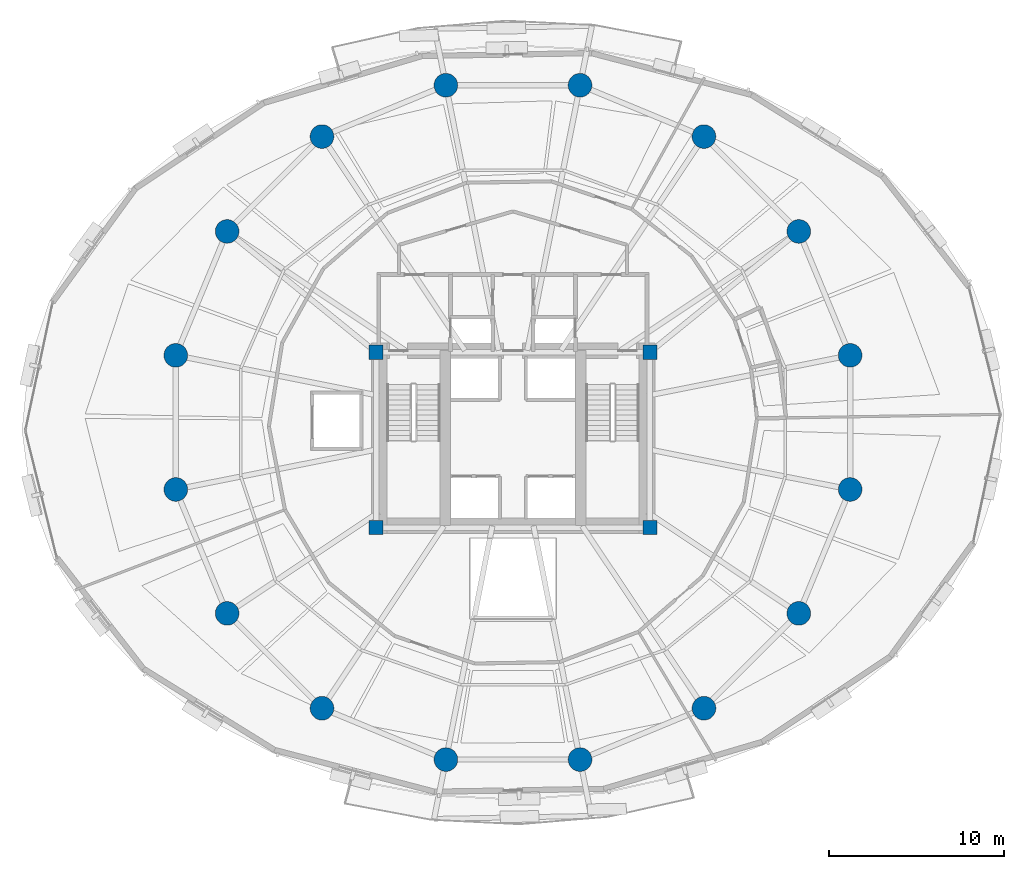
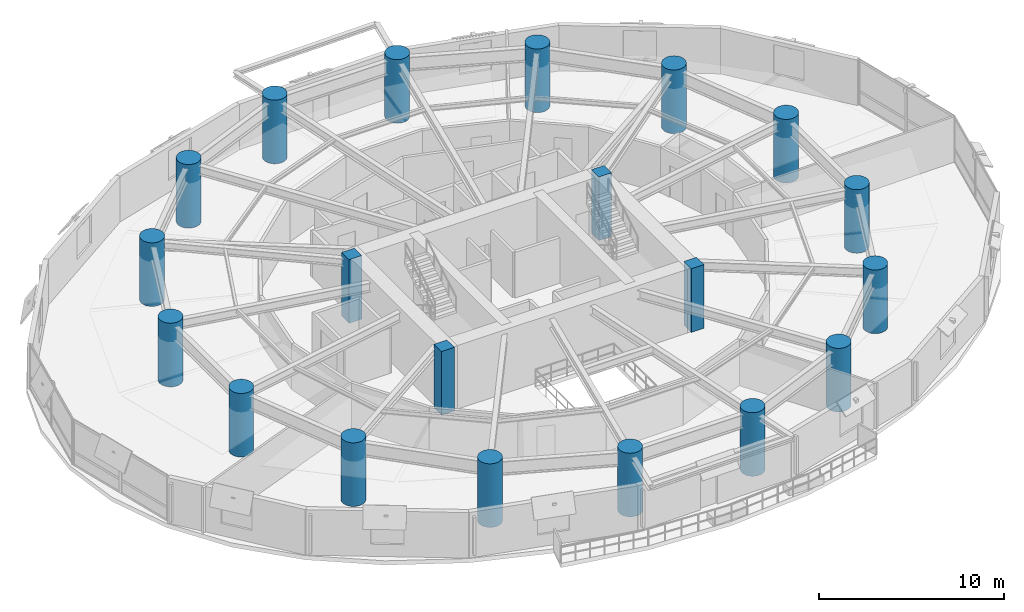
# One storey, part 1 of 17: 20 columns.
"""IFC4 building model written with IfcOpenShell, lengths in metres."""

import ifcopenshell
import ifcopenshell.guid

model = None  # the IFC model being written
_history = None  # IfcOwnerHistory: only IFC2X3 demands one
_inside = {}  # id of a spatial element -> (the spatial element, [elements in it])
_under = {}  # id of a project, library or spatial element -> (it, [spatial elements below it])
_declared = {}  # id of a project -> (the project, [libraries it declares])
_typed = {}  # id of a type object -> (the type object, [elements of that type])
_made_of = {}  # id of a material, layer set ... -> (it, [elements and type objects made of it])


def new_model(schema):
    """Start an empty IFC model of exactly this schema.

    Asked for "IFC4X3", IfcOpenShell would pick the latest addendum, in which some entities
    have other attributes; the version numbers below select the first issue.
    IFC2X3 requires an IfcOwnerHistory on every rooted entity: one is made here for all.
    """
    global model, _history
    if schema == "IFC4X3":
        model = ifcopenshell.file(schema_version=(4, 3, 0, 0))
    else:
        model = ifcopenshell.file(schema=schema)
    _inside.clear()
    _under.clear()
    _declared.clear()
    _typed.clear()
    _made_of.clear()
    _history = None
    if model.schema == "IFC2X3":
        org = make("IfcOrganization", Name="unknown")
        user = make(
            "IfcPersonAndOrganization",
            ThePerson=make("IfcPerson", FamilyName="unknown"),
            TheOrganization=org,
        )
        app = make(
            "IfcApplication",
            ApplicationDeveloper=org,
            Version="unknown",
            ApplicationFullName="unknown",
            ApplicationIdentifier="unknown",
        )
        _history = make(
            "IfcOwnerHistory",
            OwningUser=user,
            OwningApplication=app,
            ChangeAction="ADDED",
            CreationDate=0,
        )
    return model


def make(cls, **values):
    """One entity of the class cls with the attributes given. An attribute that is None is left unset."""
    return model.create_entity(
        cls, **{name: value for name, value in values.items() if value is not None}
    )


def rooted(cls, **values):
    """An entity with a GlobalId (a new one), such as an element, a storey or a relation."""
    return make(cls, GlobalId=ifcopenshell.guid.new(), OwnerHistory=_history, **values)


def si_unit(unit_type, name, prefix=None):
    """IfcSIUnit, for example si_unit("LENGTHUNIT", "METRE", prefix="MILLI")."""
    return make("IfcSIUnit", UnitType=unit_type, Prefix=prefix, Name=name)


def assignment(units):
    """IfcUnitAssignment: the units of a project."""
    return None if units is None else make("IfcUnitAssignment", Units=units)


def point(xyz):
    """IfcCartesianPoint."""
    return None if xyz is None else make("IfcCartesianPoint", Coordinates=xyz)


def direction(xyz):
    """IfcDirection."""
    return None if xyz is None else make("IfcDirection", DirectionRatios=xyz)


def frame(location, z_axis=None, x_axis=None):
    """IfcAxis2Placement3D, a coordinate frame: its origin and axes. An axis left out is left unset."""
    return make(
        "IfcAxis2Placement3D",
        Location=point(location),
        Axis=direction(z_axis),
        RefDirection=direction(x_axis),
    )


def frame_2d(location, x_axis=None):
    """IfcAxis2Placement2D, a coordinate frame in the plane: its origin and x axis."""
    return make(
        "IfcAxis2Placement2D", Location=point(location), RefDirection=direction(x_axis)
    )


def origin():
    """The frame at (0, 0, 0) with its axes left unset."""
    return frame((0.0, 0.0, 0.0))


def origin_2d():
    """The frame at (0, 0) in the plane with its x axis left unset."""
    return frame_2d((0.0, 0.0))


def place(relative_to, where):
    """IfcLocalPlacement: puts the frame where relative to a parent placement (None: the world)."""
    return make(
        "IfcLocalPlacement", PlacementRelTo=relative_to, RelativePlacement=where
    )


def context(
    kind, dimensions, precision=None, world=None, true_north=None, identifier=None
):
    """IfcGeometricRepresentationContext, for example the 3D "Model" context."""
    return make(
        "IfcGeometricRepresentationContext",
        ContextIdentifier=identifier,
        ContextType=kind,
        CoordinateSpaceDimension=dimensions,
        Precision=precision,
        WorldCoordinateSystem=world,
        TrueNorth=true_north,
    )


def subcontext(parent, identifier, kind, view, scale=None):
    """IfcGeometricRepresentationSubContext, for example "Body" below "Model"."""
    return make(
        "IfcGeometricRepresentationSubContext",
        ContextIdentifier=identifier,
        ContextType=kind,
        ParentContext=parent,
        TargetScale=scale,
        TargetView=view,
    )


def project(units=None, contexts=None):
    """IfcProject with its units and contexts."""
    return rooted(
        "IfcProject",
        Name="project",
        RepresentationContexts=contexts,
        UnitsInContext=assignment(units),
    )


def spatial(cls, under=None, at=None, **own):
    """A site, building, storey or space (cls), placed at a placement, below another one or the project."""
    s = rooted(cls, ObjectPlacement=at, **own)
    if under is not None:
        _under.setdefault(under.id(), (under, []))[1].append(s)
    return s


def profile(cls, at=None, kind="AREA", **sizes):
    """A parametric profile (cls). Its sizes go by their IFC names, for example OverallWidth=200.0."""
    return make(cls, ProfileType=kind, Position=at, **sizes)


def rectangle(**sizes):
    """IfcRectangleProfileDef."""
    return profile("IfcRectangleProfileDef", **sizes)


def circle(**sizes):
    """IfcCircleProfileDef."""
    return profile("IfcCircleProfileDef", **sizes)


def extrude(swept, where, along, depth):
    """IfcExtrudedAreaSolid: the profile swept, set in the frame where, extruded along a direction by depth."""
    return make(
        "IfcExtrudedAreaSolid",
        SweptArea=swept,
        Position=where,
        ExtrudedDirection=direction(along),
        Depth=depth,
    )


def shape(context_of_items, identifier, shape_type, items):
    """IfcShapeRepresentation: the items that make up one representation, for example the "Body"."""
    return make(
        "IfcShapeRepresentation",
        ContextOfItems=context_of_items,
        RepresentationIdentifier=identifier,
        RepresentationType=shape_type,
        Items=items,
    )


def material(Name=None, Category=None):
    """IfcMaterial."""
    return make("IfcMaterial", Name=Name, Category=Category)


def material_profile(
    of_material, cross_section, Name=None, Category=None, Priority=None
):
    """IfcMaterialProfile: a cross section and its material."""
    return make(
        "IfcMaterialProfile",
        Name=Name,
        Material=of_material,
        Profile=cross_section,
        Priority=Priority,
        Category=Category,
    )


def profile_set(profiles, Name=None, composite=None):
    """IfcMaterialProfileSet."""
    return make(
        "IfcMaterialProfileSet",
        Name=Name,
        MaterialProfiles=profiles,
        CompositeProfile=composite,
    )


def made_of(thing, what):
    """Note that an element or type object is made of a material, layer set ...; save() writes the relation."""
    if what is not None:
        _made_of.setdefault(what.id(), (what, []))[1].append(thing)
    return thing


def type_object(cls, material=None, **own):
    """A type object (cls), such as IfcWallType, which elements share."""
    return made_of(rooted(cls, **own), material)


def element(
    cls,
    number,
    at=None,
    inside=None,
    cuts=None,
    type_object=None,
    material=None,
    context=None,
    identifier="Body",
    shape_type=None,
    held_by="IfcProductDefinitionShape",
    body=None,
    shapes=None,
    **own,
):
    """One element of the class cls, such as IfcWall. Its Tag is "e" and its number.

    at: its placement. inside: the storey or other place that contains it. cuts: it is an
    opening in that element (IfcRelVoidsElement). A single representation is given by context,
    identifier, shape_type and body (its items); several are given by shapes. held_by: the class
    of the entity that holds the representations. save() writes the other relations.
    """
    e = rooted(cls, Tag="e%d" % number, ObjectPlacement=at, **own)
    if body is not None:
        shapes = [shape(context, identifier, shape_type, body)]
    if shapes is not None:
        e.Representation = make(held_by, Representations=shapes)
    if inside is not None:
        _inside.setdefault(inside.id(), (inside, []))[1].append(e)
    if cuts is not None:
        rooted(
            "IfcRelVoidsElement", RelatingBuildingElement=cuts, RelatedOpeningElement=e
        )
    if type_object is not None:
        _typed.setdefault(type_object.id(), (type_object, []))[1].append(e)
    return made_of(e, material)


def aggregate(whole, parts):
    """IfcRelAggregates: a whole, such as a stair, and the parts it consists of."""
    return rooted("IfcRelAggregates", RelatingObject=whole, RelatedObjects=parts)


def save(model, path):
    """Write the relations noted so far, then the file.

    IfcRelAggregates (storeys below a building ...), IfcRelContainedInSpatialStructure (elements
    in a storey), IfcRelDefinesByType, IfcRelAssociatesMaterial and IfcRelDeclares: one each for
    every whole, place, type object, material and project.
    """
    for whole, parts in _under.values():
        aggregate(whole, parts)
    for where, things in _inside.values():
        rooted(
            "IfcRelContainedInSpatialStructure",
            RelatedElements=things,
            RelatingStructure=where,
        )
    for kind, things in _typed.values():
        rooted("IfcRelDefinesByType", RelatedObjects=things, RelatingType=kind)
    for what, things in _made_of.values():
        rooted("IfcRelAssociatesMaterial", RelatedObjects=things, RelatingMaterial=what)
    for by, libraries in _declared.values():
        rooted("IfcRelDeclares", RelatingContext=by, RelatedDefinitions=libraries)
    model.write(path)


model = new_model("IFC4")

# Units and contexts
model_context = context("Model", 3, precision=1e-05, world=origin(), true_north=direction((0.0, 1.0)))
body_context = subcontext(model_context, "Body", "Model", "MODEL_VIEW")
ifc_project = project(units=[si_unit("LENGTHUNIT", "METRE"), si_unit("AREAUNIT", "SQUARE_METRE"), si_unit("VOLUMEUNIT", "CUBIC_METRE"), si_unit("PLANEANGLEUNIT", "RADIAN"), si_unit("MASSUNIT", "GRAM", prefix="KILO"), si_unit("THERMODYNAMICTEMPERATUREUNIT", "KELVIN"), si_unit("POWERUNIT", "WATT")], contexts=[model_context])

# Site, building, storey
site_placement = place(None, origin())
site = spatial("IfcSite", under=ifc_project, at=site_placement, CompositionType="ELEMENT")
building_placement = place(site_placement, origin())
building = spatial("IfcBuilding", under=site, at=building_placement, Name="Ocrelia Relay Tower", CompositionType="ELEMENT")
storey_placement = place(building_placement, frame((0.0, 0.0, 34.199951171875)))
storey = spatial("IfcBuildingStorey", under=building, at=storey_placement, Name="L07", CompositionType="ELEMENT", Elevation=34.199951171875)

# Columns
ifc_material_1 = material(Name="Concrete C70/85", Category="concrete")
ifc_material_profile_1 = material_profile(ifc_material_1, circle(Radius=0.675048828125, at=origin_2d()), Name="RC-CIR-1350")
ifc_profile_set_1 = profile_set([ifc_material_profile_1], Name="Concrete C70/85")
column_type_1 = type_object("IfcColumnType", Name="COL-CT-1350", PredefinedType="COLUMN", material=ifc_profile_set_1)
for number, where, z_axis, x_axis, name in (
    (1, (53.223388671875, 29.82373046875, 0.0), (0.0, 0.0, 1.0), (1.0, 0.0, 0.0), "L07 Perimeter Ring Column C01"),
    (2, (50.296875, 36.88916015625, 0.0), (0.0, 0.0, 1.0), (1.0, 0.0, 0.0), "L07 Perimeter Ring Column C02"),
    (3, (44.88916015625, 42.296875, 0.0), (0.0, 0.0, 1.0), (1.0, 0.0, 0.0), "L07 Perimeter Ring Column C03"),
    (4, (37.82373046875, 45.223388671875, 0.0), (0.0, 0.0, 1.0), (1.0, 0.0, 0.0), "L07 Perimeter Ring Column C04"),
    (5, (30.17626953125, 45.223388671875, 0.0), (0.0, 0.0, 1.0), (1.0, 0.0, 0.0), "L07 Perimeter Ring Column C05"),
    (6, (23.11083984375, 42.296875, 0.0), (0.0, 0.0, 1.0), (1.0, 0.0, 0.0), "L07 Perimeter Ring Column C06"),
    (7, (17.703125, 36.88916015625, 0.0), (0.0, 0.0, 1.0), (1.0, 0.0, 0.0), "L07 Perimeter Ring Column C07"),
    (8, (14.776611328125, 29.82373046875, 0.0), (0.0, 0.0, 1.0), (1.0, 0.0, 0.0), "L07 Perimeter Ring Column C08"),
    (9, (14.776611328125, 22.17626953125, 0.0), (0.0, 0.0, 1.0), (1.0, 0.0, 0.0), "L07 Perimeter Ring Column C09"),
    (10, (17.703125, 15.11083984375, 0.0), (0.0, 0.0, 1.0), (1.0, 0.0, 0.0), "L07 Perimeter Ring Column C10"),
    (11, (23.11083984375, 9.703125, 0.0), (0.0, 0.0, 1.0), (1.0, 0.0, 0.0), "L07 Perimeter Ring Column C11"),
    (12, (30.17626953125, 6.776611328125, 0.0), (0.0, 0.0, 1.0), (1.0, 0.0, 0.0), "L07 Perimeter Ring Column C12"),
    (13, (37.82373046875, 6.776611328125, 0.0), (0.0, 0.0, 1.0), (1.0, 0.0, 0.0), "L07 Perimeter Ring Column C13"),
    (14, (44.88916015625, 9.703125, 0.0), (0.0, 0.0, 1.0), (1.0, 0.0, 0.0), "L07 Perimeter Ring Column C14"),
    (15, (50.296875, 15.11083984375, 0.0), (0.0, 0.0, 1.0), (1.0, 0.0, 0.0), "L07 Perimeter Ring Column C15"),
    (16, (53.223388671875, 22.17626953125, 0.0), (0.0, 0.0, 1.0), (1.0, 0.0, 0.0), "L07 Perimeter Ring Column C16"),
):
    element("IfcColumn", number, at=place(storey_placement, frame(where, z_axis=z_axis, x_axis=x_axis)), inside=storey, type_object=column_type_1, Name=name, PredefinedType="COLUMN", context=body_context, shape_type="SweptSolid", body=[
        extrude(circle(Radius=0.675048828125, at=origin_2d()), origin(), (0.0, 0.0, 1.0), 4.199951171875),
    ])
ifc_material_2 = material(Name="Concrete C60/75", Category="concrete")
ifc_material_profile_2 = material_profile(ifc_material_2, rectangle(XDim=0.800048828125, YDim=0.800048828125, at=origin_2d()), Name="RC-COL-800x800")
ifc_profile_set_2 = profile_set([ifc_material_profile_2], Name="Concrete C60/75")
column_type_2 = type_object("IfcColumnType", Name="COL-PILASTER-800", PredefinedType="PILASTER", material=ifc_profile_set_2)
for number, where, z_axis, x_axis, name in (
    (17, (26.199951171875, 20.0, 0.0), (0.0, 0.0, 1.0), (1.0, 0.0, 0.0), "L07 Core Corner Pilaster SW"),
    (18, (41.800048828125, 20.0, 0.0), (0.0, 0.0, 1.0), (1.0, 0.0, 0.0), "L07 Core Corner Pilaster SE"),
    (19, (26.199951171875, 30.0, 0.0), (0.0, 0.0, 1.0), (1.0, 0.0, 0.0), "L07 Core Corner Pilaster NW"),
    (20, (41.800048828125, 30.0, 0.0), (0.0, 0.0, 1.0), (1.0, 0.0, 0.0), "L07 Core Corner Pilaster NE"),
):
    element("IfcColumn", number, at=place(storey_placement, frame(where, z_axis=z_axis, x_axis=x_axis)), inside=storey, type_object=column_type_2, Name=name, PredefinedType="PILASTER", context=body_context, shape_type="SweptSolid", body=[
        extrude(rectangle(XDim=0.800048828125, YDim=0.800048828125, at=origin_2d()), origin(), (0.0, 0.0, 1.0), 4.199951171875),
    ])

save(model, "model.ifc")
